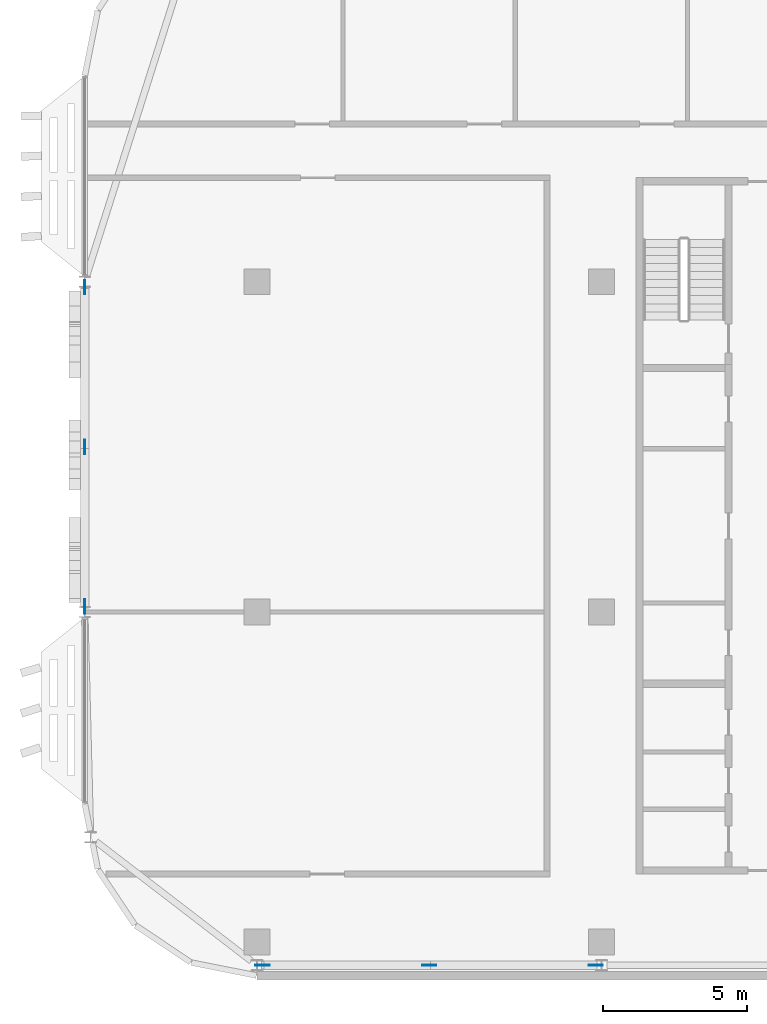
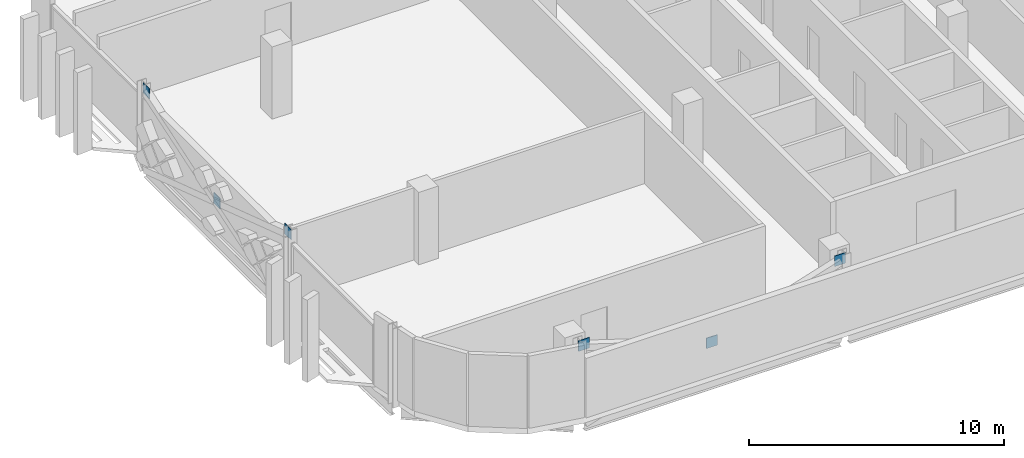
# One storey, part 17 of 25: 6 discrete accessories.
"""IFC4 building model written with IfcOpenShell, lengths in metres."""

from ifc_helpers import new_model, si_unit, direction, frame, origin, origin_2d, place, context, subcontext, project, spatial, rectangle, extrude, material, layer, layer_set, type_object, element, save


model = new_model("IFC4")

# Units and contexts
model_context = context("Model", 3, precision=1e-05, world=origin(), true_north=direction((0.0, 1.0)))
body_context = subcontext(model_context, "Body", "Model", "MODEL_VIEW")
ifc_project = project(units=[si_unit("LENGTHUNIT", "METRE"), si_unit("AREAUNIT", "SQUARE_METRE"), si_unit("VOLUMEUNIT", "CUBIC_METRE"), si_unit("PLANEANGLEUNIT", "RADIAN"), si_unit("MASSUNIT", "GRAM", prefix="KILO")], contexts=[model_context])

# Site, building, storey
site_placement = place(None, origin())
site = spatial("IfcSite", under=ifc_project, at=site_placement, CompositionType="ELEMENT")
building_placement = place(site_placement, origin())
building = spatial("IfcBuilding", under=site, at=building_placement, Name="Mahtab Terrace Research Tower", CompositionType="ELEMENT")
storey_placement = place(building_placement, frame((0.0, 0.0, 278.5)))
storey = spatial("IfcBuildingStorey", under=building, at=storey_placement, Name="L68", CompositionType="ELEMENT", Elevation=278.5)

# Discrete accessories
ifc_material = material(Name="Steel ASTM A992 Gr 50", Category="steel")
ifc_layer = layer(ifc_material, 0.030029296875)
ifc_layer_set = layer_set([ifc_layer], Name="Gusset plate 500x500x30")
discrete_accessory_type = type_object("IfcDiscreteAccessoryType", Name="Gusset plate 500x500x30", PredefinedType="USERDEFINED", material=ifc_layer_set)
for number, where, z_axis, x_axis, name in (
    (1, (-41.80322265625, -12.306884765625, 2.906494140625), (0.0, 0.0, 1.0), (1.0, 0.0, 0.0), "Gusset plate"),
    (2, (-36.0, -12.306884765625, 1.006591796875), (0.0, 0.0, 1.0), (1.0, 0.0, 0.0), "Gusset plate"),
    (3, (-30.197021484375, -12.306884765625, 2.906494140625), (0.0, 0.0, 1.0), (1.0, 0.0, 0.0), "Gusset plate"),
    (4, (-48.0, 0.18798828125, 2.906494140625), (0.0, 0.0, 1.0), (0.0, 1.0, 0.0), "Gusset plate"),
    (5, (-48.0, 5.75, 1.006591796875), (0.0, 0.0, 1.0), (0.0, 1.0, 0.0), "Gusset plate"),
    (6, (-48.0, 11.31201171875, 2.906494140625), (0.0, 0.0, 1.0), (0.0, 1.0, 0.0), "Gusset plate"),
):
    element("IfcDiscreteAccessory", number, at=place(storey_placement, frame(where, z_axis=z_axis, x_axis=x_axis)), inside=storey, type_object=discrete_accessory_type, Name=name, ObjectType="GUSSET PLATE", PredefinedType="USERDEFINED", context=body_context, shape_type="SweptSolid", body=[
        extrude(rectangle(XDim=0.5, YDim=0.030029296875, at=origin_2d()), origin(), (0.0, 0.0, 1.0), 0.5),
    ])

save(model, "model.ifc")
